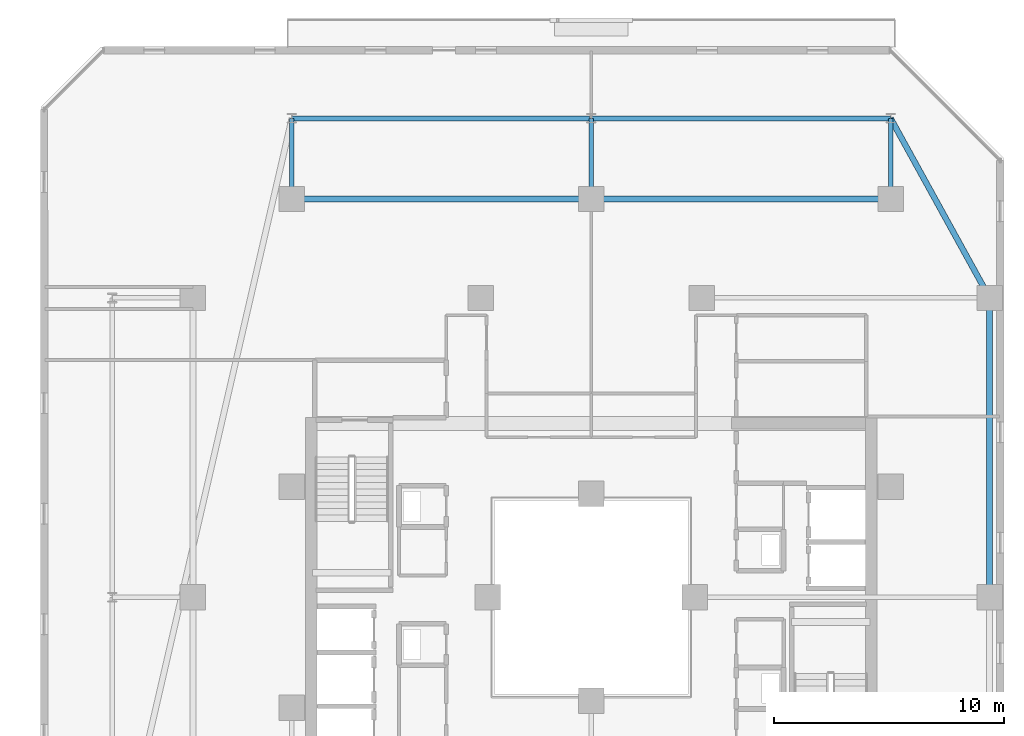
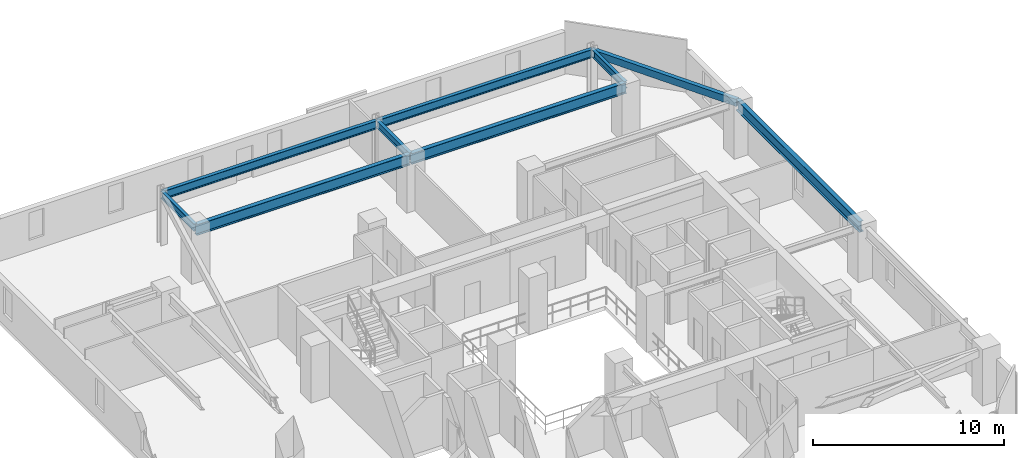
# One storey, part 16 of 33: 9 beams.
"""IFC4 building model written with IfcOpenShell, lengths in metres."""

from ifc_helpers import new_model, si_unit, direction, frame, origin, origin_2d, place, context, subcontext, project, spatial, hollow_rectangle, i_section, extrude, material, material_profile, profile_set, type_object, element, save


model = new_model("IFC4")

# Units and contexts
model_context = context("Model", 3, precision=1e-05, world=origin(), true_north=direction((0.0, 1.0)))
body_context = subcontext(model_context, "Body", "Model", "MODEL_VIEW")
ifc_project = project(units=[si_unit("LENGTHUNIT", "METRE"), si_unit("AREAUNIT", "SQUARE_METRE"), si_unit("VOLUMEUNIT", "CUBIC_METRE"), si_unit("PLANEANGLEUNIT", "RADIAN"), si_unit("MASSUNIT", "GRAM", prefix="KILO")], contexts=[model_context])

# Site, building, storey
site_placement = place(None, origin())
site = spatial("IfcSite", under=ifc_project, at=site_placement, CompositionType="ELEMENT")
building_placement = place(site_placement, origin())
building = spatial("IfcBuilding", under=site, at=building_placement, Name="Thornwick Lancets Civic Towers", CompositionType="ELEMENT")
storey_placement = place(building_placement, frame((0.0, 0.0, 192.89990234375)))
storey = spatial("IfcBuildingStorey", under=building, at=storey_placement, Name="L51", CompositionType="ELEMENT", Elevation=192.89990234375)

# Beams
ifc_material = material(Name="Steel S355JR", Category="steel")
ifc_material_profile_1 = material_profile(ifc_material, i_section(OverallWidth=0.210693359375, OverallDepth=0.53955078125, WebThickness=0.01171875, FlangeThickness=0.018798828125, FilletRadius=0.0126953125, at=origin_2d()), Name="UKB 533x210x109")
ifc_profile_set_1 = profile_set([ifc_material_profile_1], Name="Steel S355JR")
beam_type_1 = type_object("IfcBeamType", Name="BM_EDGE_533_109", PredefinedType="SPANDREL", material=ifc_profile_set_1)
beam_1_placement = place(storey_placement, frame((101.5, 47.800048828125, 3.09033203125), z_axis=(-1.0, 0.0, 0.0), x_axis=(0.0, -1.0, 0.0)))
element("IfcBeam", 1, at=beam_1_placement, inside=storey, type_object=beam_type_1, Name="BM-EDGE-L51-B-S1-1", PredefinedType="SPANDREL", context=body_context, shape_type="SweptSolid", body=[
    extrude(i_section(OverallWidth=0.210693359375, OverallDepth=0.53955078125, WebThickness=0.01171875, FlangeThickness=0.018798828125, FilletRadius=0.0126953125, at=origin_2d()), origin(), (0.0, 0.0, 1.0), 13.0),
])
beam_2_placement = place(storey_placement, frame((88.419921875, 47.800048828125, 3.09033203125), z_axis=(-1.0, 0.0, 0.0), x_axis=(0.0, -1.0, 0.0)))
element("IfcBeam", 2, at=beam_2_placement, inside=storey, type_object=beam_type_1, Name="BM-EDGE-L51-B-S1-2", PredefinedType="SPANDREL", context=body_context, shape_type="SweptSolid", body=[
    extrude(i_section(OverallWidth=0.210693359375, OverallDepth=0.53955078125, WebThickness=0.01171875, FlangeThickness=0.018798828125, FilletRadius=0.0126953125, at=origin_2d()), origin(), (0.0, 0.0, 1.0), 12.919921875),
])
ifc_material_profile_2 = material_profile(ifc_material, i_section(OverallWidth=0.255859375, OverallDepth=0.69287109375, WebThickness=0.014404296875, FlangeThickness=0.023681640625, FilletRadius=0.01513671875, at=origin_2d()), Name="UKB 686x254x170")
ifc_profile_set_2 = profile_set([ifc_material_profile_2], Name="Steel S355JR")
beam_type_2 = type_object("IfcBeamType", Name="BM_GIRD_686_170", PredefinedType="BEAM", material=ifc_profile_set_2)
beam_3_placement = place(storey_placement, frame((105.800048828125, 27.080078125, 3.013671875), z_axis=(0.0, 1.0, 0.0), x_axis=(-1.0, 0.0, 0.0)))
element("IfcBeam", 3, at=beam_3_placement, inside=storey, type_object=beam_type_2, Name="BM-SPINE-L51-B-1-2", PredefinedType="BEAM", context=body_context, shape_type="SweptSolid", body=[
    extrude(i_section(OverallWidth=0.255859375, OverallDepth=0.69287109375, WebThickness=0.014404296875, FlangeThickness=0.023681640625, FilletRadius=0.01513671875, at=origin_2d()), origin(), (0.0, 0.0, 1.0), 12.919921875),
])
beam_4_placement = place(storey_placement, frame((101.5, 44.300048828125, 3.013671875), z_axis=(-1.0, 0.0, 0.0), x_axis=(0.0, -1.0, 0.0)))
element("IfcBeam", 4, at=beam_4_placement, inside=storey, type_object=beam_type_2, Name="BM-SPINE-L51-B-3-4", PredefinedType="BEAM", context=body_context, shape_type="SweptSolid", body=[
    extrude(i_section(OverallWidth=0.255859375, OverallDepth=0.69287109375, WebThickness=0.014404296875, FlangeThickness=0.023681640625, FilletRadius=0.01513671875, at=origin_2d()), origin(), (0.0, 0.0, 1.0), 13.0),
])
beam_5_placement = place(storey_placement, frame((88.419921875, 44.300048828125, 3.013671875), z_axis=(-1.0, 0.0, 0.0), x_axis=(0.0, -1.0, 0.0)))
element("IfcBeam", 5, at=beam_5_placement, inside=storey, type_object=beam_type_2, Name="BM-SPINE-L51-B-4-5", PredefinedType="BEAM", context=body_context, shape_type="SweptSolid", body=[
    extrude(i_section(OverallWidth=0.255859375, OverallDepth=0.69287109375, WebThickness=0.014404296875, FlangeThickness=0.023681640625, FilletRadius=0.01513671875, at=origin_2d()), origin(), (0.0, 0.0, 1.0), 12.919921875),
])
ifc_material_profile_3 = material_profile(ifc_material, i_section(OverallWidth=0.19189453125, OverallDepth=0.46337890625, WebThickness=0.010498046875, FlangeThickness=0.017578125, FilletRadius=0.01025390625, at=origin_2d()), Name="UKB 457x191x89")
ifc_profile_set_3 = profile_set([ifc_material_profile_3], Name="Steel S355JR")
beam_type_3 = type_object("IfcBeamType", Name="BM_JOIST_457_89", PredefinedType="JOIST", material=ifc_profile_set_3)
for number, where, z_axis, x_axis, name in (
    (6, (101.5, 44.300048828125, 3.12841796875), (0.0, 1.0, 0.0), (-1.0, 0.0, 0.0), "BM-RAD-L51-B04"),
    (7, (88.5, 44.300048828125, 3.12841796875), (0.0, 1.0, 0.0), (-1.0, 0.0, 0.0), "BM-RAD-L51-B05"),
    (8, (75.5, 44.300048828125, 3.12841796875), (0.0, 1.0, 0.0), (-1.0, 0.0, 0.0), "BM-RAD-L51-B06"),
):
    element("IfcBeam", number, at=place(storey_placement, frame(where, z_axis=z_axis, x_axis=x_axis)), inside=storey, type_object=beam_type_3, Name=name, PredefinedType="JOIST", context=body_context, shape_type="SweptSolid", body=[
        extrude(i_section(OverallWidth=0.19189453125, OverallDepth=0.46337890625, WebThickness=0.010498046875, FlangeThickness=0.017578125, FilletRadius=0.01025390625, at=origin_2d()), origin(), (0.0, 0.0, 1.0), 3.5),
    ])
ifc_material_profile_4 = material_profile(ifc_material, hollow_rectangle(XDim=0.25, YDim=0.449951171875, WallThickness=0.01611328125, at=origin_2d()), Name="RHS 450x250x16")
ifc_profile_set_4 = profile_set([ifc_material_profile_4], Name="Steel S355JR")
beam_type_4 = type_object("IfcBeamType", Name="BM_RING_RHS450", PredefinedType="BEAM", material=ifc_profile_set_4)
beam_6_placement = place(storey_placement, frame((105.800048828125, 40.0, 3.135009765625), z_axis=(-0.482782395749, 0.875740348708, 0.0), x_axis=(-0.875740348708, -0.482782395749, 0.0)))
element("IfcBeam", 9, at=beam_6_placement, inside=storey, type_object=beam_type_4, Name="BM-CHAMF-L51-B-C0", PredefinedType="BEAM", context=body_context, shape_type="SweptSolid", body=[
    extrude(hollow_rectangle(XDim=0.25, YDim=0.449951171875, WallThickness=0.01611328125, at=origin_2d()), origin(), (0.0, 0.0, 1.0), 8.90673828125),
])

save(model, "model.ifc")
